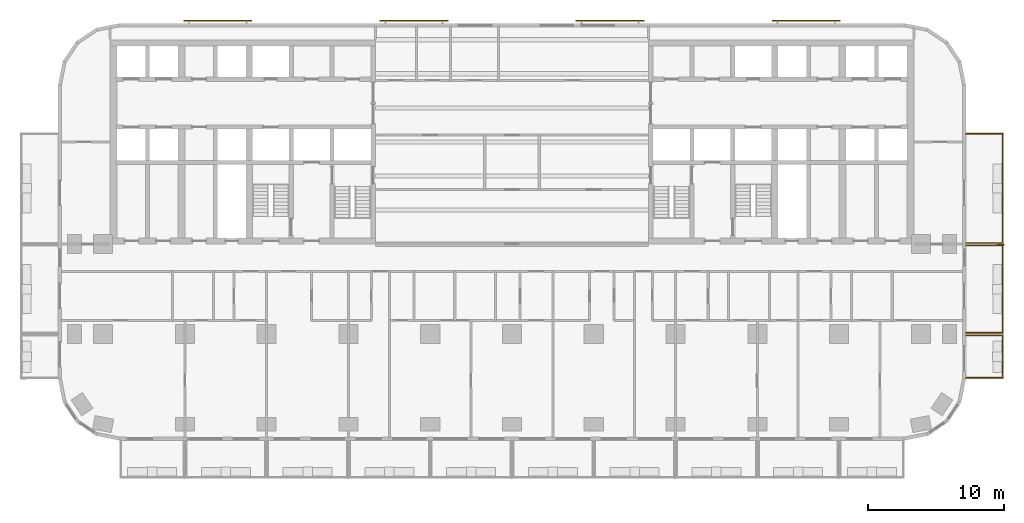
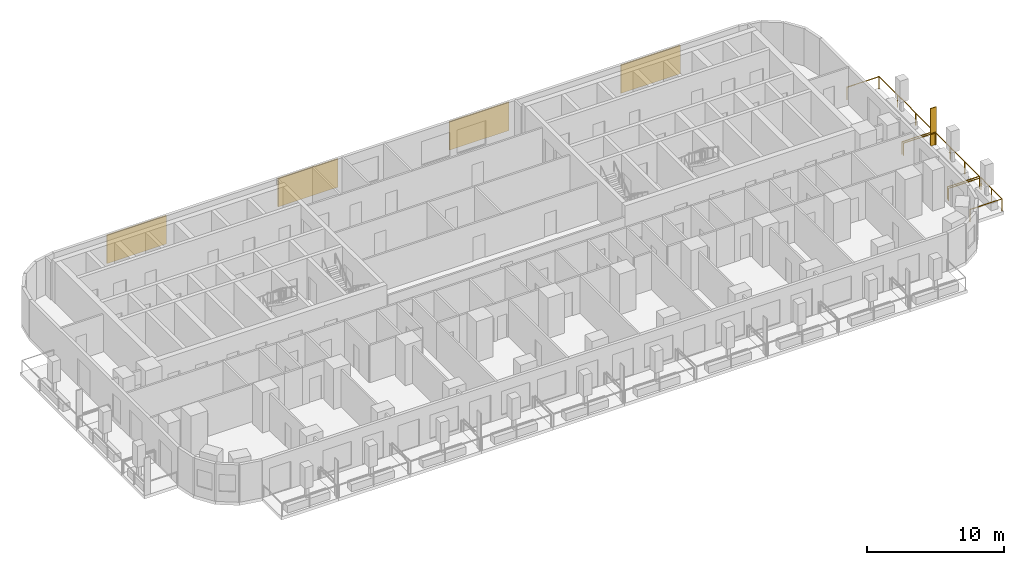
# One storey, part 13 of 14: 5 shading devices, 3 railings.
"""IFC4 building model written with IfcOpenShell, lengths in metres."""

from ifc_helpers import new_model, si_unit, direction, frame, origin, origin_2d, place, context, subcontext, project, spatial, rectangle, circle, extrude, material, layer, layer_set, type_object, element, save


model = new_model("IFC4")

# Units and contexts
model_context = context("Model", 3, precision=1e-05, world=origin(), true_north=direction((0.0, 1.0)))
body_context = subcontext(model_context, "Body", "Model", "MODEL_VIEW")
ifc_project = project(units=[si_unit("LENGTHUNIT", "METRE"), si_unit("AREAUNIT", "SQUARE_METRE"), si_unit("VOLUMEUNIT", "CUBIC_METRE"), si_unit("PLANEANGLEUNIT", "RADIAN"), si_unit("MASSUNIT", "GRAM", prefix="KILO")], contexts=[model_context])

# Site, building, storey
site_placement = place(None, origin())
site = spatial("IfcSite", under=ifc_project, at=site_placement, CompositionType="ELEMENT")
building_placement = place(site_placement, origin())
building = spatial("IfcBuilding", under=site, at=building_placement, Name="Torana Hotel and Residences", CompositionType="ELEMENT")
storey_placement = place(building_placement, frame((0.0, 0.0, 96.0)))
storey = spatial("IfcBuildingStorey", under=building, at=storey_placement, Name="L24", CompositionType="ELEMENT", Elevation=96.0)

# Shading device
ifc_material_1 = material(Name="Black powder coated aluminium", Category="aluminium")
ifc_layer_1 = layer(ifc_material_1, 0.080078125)
ifc_layer_set_1 = layer_set([ifc_layer_1], Name="FN1 VERTICAL FIN 500x80")
shading_device_type_1 = type_object("IfcShadingDeviceType", Name="FN1 VERTICAL FIN 500x80", PredefinedType="USERDEFINED", material=ifc_layer_set_1)
shading_device_placement = place(storey_placement, frame((35.85009765625, -15.0400390625, 0.0), z_axis=(0.0, 0.0, 1.0), x_axis=(0.0, -1.0, 0.0)))
element("IfcShadingDevice", 1, at=shading_device_placement, inside=storey, type_object=shading_device_type_1, Name="Fin 15", ObjectType="FIN", PredefinedType="USERDEFINED", context=body_context, shape_type="SweptSolid", body=[
    extrude(rectangle(XDim=0.080078125, YDim=0.5, at=origin_2d()), origin(), (0.0, 0.0, 1.0), 3.320068359375),
])

# Railings
ifc_material_2 = material(Name="Laminated glass balustrade with black handrail", Category="glass")
railing_type = type_object("IfcRailingType", Name="GR1 BALCONY GUARD 1100 GLASS", PredefinedType="GUARDRAIL", material=ifc_material_2)
railing_1_placement = place(storey_placement, frame((33.300048828125, -21.699951171875, 0.0)))
element("IfcRailing", 2, at=railing_1_placement, inside=storey, type_object=railing_type, Name="Balcony guard 14", PredefinedType="GUARDRAIL", context=body_context, shape_type="SweptSolid", body=[
    extrude(circle(Radius=0.02392578125, at=origin_2d()), frame((0.0, 0.0, 1.076171875), z_axis=(1.0, 0.0, 0.0), x_axis=(0.0, 1.0, 0.0)), (0.0, 0.0, 1.0), 2.699951171875),
    extrude(circle(Radius=0.02392578125, at=origin_2d()), frame((2.699951171875, 0.0, 1.076171875), z_axis=(0.0, -1.0, 0.0), x_axis=(1.0, 0.0, 0.0)), (0.0, 0.0, 1.0), 3.10009765625),
    extrude(circle(Radius=0.02392578125, at=origin_2d()), frame((2.699951171875, -3.10009765625, 1.076171875), z_axis=(-1.0, 0.0, 0.0), x_axis=(0.0, -1.0, 0.0)), (0.0, 0.0, 1.0), 2.699951171875),
    extrude(circle(Radius=0.02099609375, at=origin_2d()), origin(), (0.0, 0.0, 1.0), 1.052001953125),
    extrude(circle(Radius=0.02099609375, at=origin_2d()), frame((2.699951171875, 0.0, 0.0)), (0.0, 0.0, 1.0), 1.052001953125),
    extrude(circle(Radius=0.02099609375, at=origin_2d()), frame((2.699951171875, -1.550048828125, 0.0)), (0.0, 0.0, 1.0), 1.052001953125),
    extrude(circle(Radius=0.02099609375, at=origin_2d()), frame((2.699951171875, -3.10009765625, 0.0)), (0.0, 0.0, 1.0), 1.052001953125),
    extrude(circle(Radius=0.02099609375, at=origin_2d()), frame((0.0, -3.10009765625, 0.0)), (0.0, 0.0, 1.0), 1.052001953125),
])
railing_2_placement = place(storey_placement, frame((33.300048828125, -15.10009765625, 0.0)))
element("IfcRailing", 3, at=railing_2_placement, inside=storey, type_object=railing_type, Name="Balcony guard 15", PredefinedType="GUARDRAIL", context=body_context, shape_type="SweptSolid", body=[
    extrude(circle(Radius=0.02392578125, at=origin_2d()), frame((0.0, 0.0, 1.076171875), z_axis=(1.0, 0.0, 0.0), x_axis=(0.0, 1.0, 0.0)), (0.0, 0.0, 1.0), 2.699951171875),
    extrude(circle(Radius=0.02392578125, at=origin_2d()), frame((2.699951171875, 0.0, 1.076171875), z_axis=(0.0, -1.0, 0.0), x_axis=(1.0, 0.0, 0.0)), (0.0, 0.0, 1.0), 6.39990234375),
    extrude(circle(Radius=0.02392578125, at=origin_2d()), frame((2.699951171875, -6.39990234375, 1.076171875), z_axis=(-1.0, 0.0, 0.0), x_axis=(0.0, -1.0, 0.0)), (0.0, 0.0, 1.0), 2.699951171875),
    extrude(circle(Radius=0.02099609375, at=origin_2d()), origin(), (0.0, 0.0, 1.0), 1.052001953125),
    extrude(circle(Radius=0.02099609375, at=origin_2d()), frame((2.699951171875, 0.0, 0.0)), (0.0, 0.0, 1.0), 1.052001953125),
    extrude(circle(Radius=0.02099609375, at=origin_2d()), frame((2.699951171875, -2.13330078125, 0.0)), (0.0, 0.0, 1.0), 1.052001953125),
    extrude(circle(Radius=0.02099609375, at=origin_2d()), frame((2.699951171875, -4.2666015625, 0.0)), (0.0, 0.0, 1.0), 1.052001953125),
    extrude(circle(Radius=0.02099609375, at=origin_2d()), frame((2.699951171875, -6.39990234375, 0.0)), (0.0, 0.0, 1.0), 1.052001953125),
    extrude(circle(Radius=0.02099609375, at=origin_2d()), frame((0.0, -6.39990234375, 0.0)), (0.0, 0.0, 1.0), 1.052001953125),
])
railing_3_placement = place(storey_placement, frame((33.300048828125, -6.89990234375, 0.0)))
element("IfcRailing", 4, at=railing_3_placement, inside=storey, type_object=railing_type, Name="Balcony guard 16", PredefinedType="GUARDRAIL", context=body_context, shape_type="SweptSolid", body=[
    extrude(circle(Radius=0.02392578125, at=origin_2d()), frame((0.0, 0.0, 1.076171875), z_axis=(1.0, 0.0, 0.0), x_axis=(0.0, 1.0, 0.0)), (0.0, 0.0, 1.0), 2.699951171875),
    extrude(circle(Radius=0.02392578125, at=origin_2d()), frame((2.699951171875, 0.0, 1.076171875), z_axis=(0.0, -1.0, 0.0), x_axis=(1.0, 0.0, 0.0)), (0.0, 0.0, 1.0), 8.0),
    extrude(circle(Radius=0.02392578125, at=origin_2d()), frame((2.699951171875, -8.0, 1.076171875), z_axis=(-1.0, 0.0, 0.0), x_axis=(0.0, -1.0, 0.0)), (0.0, 0.0, 1.0), 2.699951171875),
    extrude(circle(Radius=0.02099609375, at=origin_2d()), origin(), (0.0, 0.0, 1.0), 1.052001953125),
    extrude(circle(Radius=0.02099609375, at=origin_2d()), frame((2.699951171875, 0.0, 0.0)), (0.0, 0.0, 1.0), 1.052001953125),
    extrude(circle(Radius=0.02099609375, at=origin_2d()), frame((2.699951171875, -2.666748046875, 0.0)), (0.0, 0.0, 1.0), 1.052001953125),
    extrude(circle(Radius=0.02099609375, at=origin_2d()), frame((2.699951171875, -5.333251953125, 0.0)), (0.0, 0.0, 1.0), 1.052001953125),
    extrude(circle(Radius=0.02099609375, at=origin_2d()), frame((2.699951171875, -8.0, 0.0)), (0.0, 0.0, 1.0), 1.052001953125),
    extrude(circle(Radius=0.02099609375, at=origin_2d()), frame((0.0, -8.0, 0.0)), (0.0, 0.0, 1.0), 1.052001953125),
])

# Shading devices
ifc_material_3 = material(Name="Concrete C40/50 precast", Category="concrete")
ifc_layer_2 = layer(ifc_material_3, 0.10009765625)
ifc_layer_set_2 = layer_set([ifc_layer_2], Name="SC1 PERFORATED BLOCK SCREEN PANEL 100")
shading_device_type_2 = type_object("IfcShadingDeviceType", Name="SC1 PERFORATED BLOCK SCREEN PANEL 100", PredefinedType="USERDEFINED", material=ifc_layer_set_2)
for number, where, z_axis, x_axis, name in (
    (5, (21.58154296875, 1.39990234375, 0.5), (0.0, 0.0, 1.0), (-1.0, 0.0, 0.0), "Perforated block screen L24"),
    (6, (7.19384765625, 1.39990234375, 0.5), (0.0, 0.0, 1.0), (-1.0, 0.0, 0.0), "Perforated block screen L24"),
    (7, (-7.19384765625, 1.39990234375, 0.5), (0.0, 0.0, 1.0), (-1.0, 0.0, 0.0), "Perforated block screen L24"),
    (8, (-21.58154296875, 1.39990234375, 0.5), (0.0, 0.0, 1.0), (-1.0, 0.0, 0.0), "Perforated block screen L24"),
):
    element("IfcShadingDevice", number, at=place(storey_placement, frame(where, z_axis=z_axis, x_axis=x_axis)), inside=storey, type_object=shading_device_type_2, Name=name, ObjectType="SCREEN", PredefinedType="USERDEFINED", context=body_context, shape_type="SweptSolid", body=[
        extrude(rectangle(XDim=5.0, YDim=0.10009765625, at=origin_2d()), origin(), (0.0, 0.0, 1.0), 2.52001953125),
    ])

save(model, "model.ifc")
